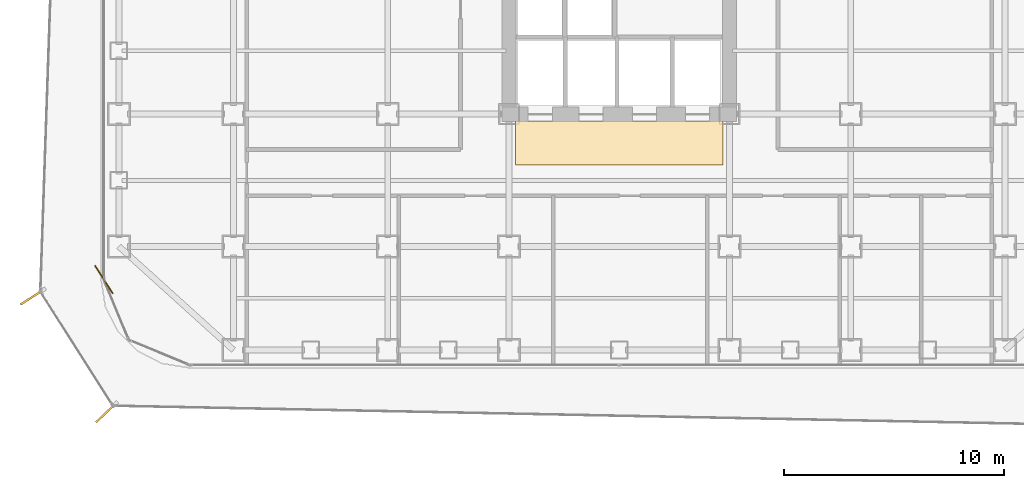
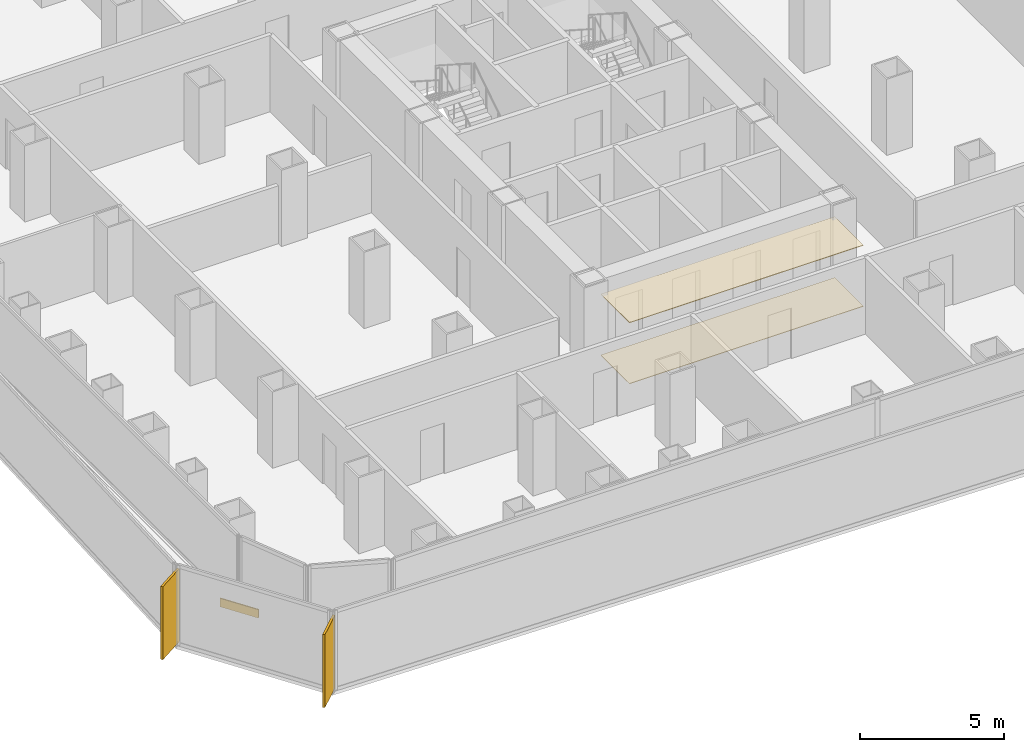
# One storey, part 20 of 22: 3 coverings, 2 shading devices.
"""IFC4 building model written with IfcOpenShell, lengths in metres."""

from ifc_helpers import new_model, si_unit, direction, frame, origin, origin_2d, place, context, subcontext, project, spatial, polyline, rectangle, outline, extrude, source, transform, mapped, material, layer, layer_set, type_object, element, save


model = new_model("IFC4")

# Units and contexts
model_context = context("Model", 3, precision=1e-05, world=origin(), true_north=direction((0.0, 1.0)))
body_context = subcontext(model_context, "Body", "Model", "MODEL_VIEW")
ifc_project = project(units=[si_unit("LENGTHUNIT", "METRE"), si_unit("AREAUNIT", "SQUARE_METRE"), si_unit("VOLUMEUNIT", "CUBIC_METRE"), si_unit("PLANEANGLEUNIT", "RADIAN"), si_unit("MASSUNIT", "GRAM", prefix="KILO")], contexts=[model_context])

# Site, building, storey
site_placement = place(None, origin())
site = spatial("IfcSite", under=ifc_project, at=site_placement, CompositionType="ELEMENT")
building_placement = place(site_placement, origin())
building = spatial("IfcBuilding", under=site, at=building_placement, Name="Kolveth Station Tower", CompositionType="ELEMENT")
storey_placement = place(building_placement, frame((0.0, 0.0, 84.60009765625)))
storey = spatial("IfcBuildingStorey", under=building, at=storey_placement, Name="L22", CompositionType="ELEMENT", Elevation=84.60009765625)

# Coverings
ifc_material_1 = material(Name="Acoustic mineral-fibre ceiling tile")
ifc_layer_1 = layer(ifc_material_1, 0.02490234375)
ifc_layer_set_1 = layer_set([ifc_layer_1], Name="Acoustic mineral-fibre ceiling tile")
covering_type_1 = type_object("IfcCoveringType", Name="Ceil_CL1", PredefinedType="CEILING", material=ifc_layer_set_1)
covering_1_placement = place(storey_placement, frame((0.0, 0.0, 2.58984375)))
element("IfcCovering", 1, at=covering_1_placement, inside=storey, type_object=covering_type_1, Name="L22 Lift Lobby Suspended Ceiling", PredefinedType="CEILING", context=body_context, shape_type="SweptSolid", body=[
    extrude(outline(polyline([(18.800048828125, 9.199951171875), (28.199951171875, 9.199951171875), (28.199951171875, 11.199951171875), (18.800048828125, 11.199951171875), (18.800048828125, 9.199951171875)])), origin(), (0.0, 0.0, 1.0), 0.025146484375),
])
ifc_material_2 = material(Name="Honed terrazzo flooring")
ifc_layer_2 = layer(ifc_material_2, 0.02001953125)
ifc_layer_set_2 = layer_set([ifc_layer_2], Name="Honed terrazzo flooring")
covering_type_2 = type_object("IfcCoveringType", Name="Floor_FL1", PredefinedType="FLOORING", material=ifc_layer_set_2)
covering_2_placement = place(storey_placement, origin())
element("IfcCovering", 2, at=covering_2_placement, inside=storey, type_object=covering_type_2, Name="L22 Lift Lobby Floor Finish", PredefinedType="FLOORING", context=body_context, shape_type="SweptSolid", body=[
    extrude(outline(polyline([(18.800048828125, 9.199951171875), (28.199951171875, 9.199951171875), (28.199951171875, 11.199951171875), (18.800048828125, 11.199951171875), (18.800048828125, 9.199951171875)])), origin(), (0.0, 0.0, 1.0), 0.02001953125),
])

# Shading devices
ifc_material_3 = material(Name="Black anodized aluminium 6063-T6", Category="aluminium")
shading_device_type = type_object("IfcShadingDeviceType", Name="FIN_VF1", PredefinedType="USERDEFINED", material=ifc_material_3)
shared_shape_1 = source(origin(), body_context, "Body", "SweptSolid", [
    extrude(rectangle(XDim=1.25, YDim=0.090087890625, at=origin_2d()), origin(), (0.0, 0.0, 1.0), 3.10009765625),
])
for number, where, z_axis, x_axis, name in (
    (3, (-3.133056640625, 3.201904296875, -0.000244140625), (0.0, 0.0, 1.0), (-0.842264279204, -0.539064823539, 0.0), "L22 Dark-Aluminium Solar Fin 7"),
    (4, (0.218994140625, -2.044921875, -0.000244140625), (0.0, 0.0, 1.0), (-0.722243259262, -0.691639121545, 0.0), "L22 Dark-Aluminium Solar Fin 8"),
):
    element("IfcShadingDevice", number, at=place(storey_placement, frame(where, z_axis=z_axis, x_axis=x_axis)), inside=storey, type_object=shading_device_type, Name=name, ObjectType="FIN", PredefinedType="USERDEFINED", context=body_context, shape_type="MappedRepresentation", body=[
        mapped(shared_shape_1, transform((0.0, 0.0, 0.0), x_axis=(1.0, 0.0, 0.0), y_axis=(0.0, 1.0, 0.0), z_axis=(0.0, 0.0, 1.0), scale=1.0)),
    ])

# Covering
ifc_material_4 = material(Name="Charcoal anodized aluminium spandrel cladding", Category="aluminium")
ifc_layer_3 = layer(ifc_material_4, 0.044921875)
ifc_layer_set_3 = layer_set([ifc_layer_3], Name="Charcoal anodized aluminium spandrel cladding")
covering_type_3 = type_object("IfcCoveringType", Name="Clad_CD1", PredefinedType="CLADDING", material=ifc_layer_set_3)
shared_shape_2 = source(origin(), body_context, "Body", "SweptSolid", [
    extrude(rectangle(XDim=1.5, YDim=0.044921875, at=origin_2d()), origin(), (0.0, 0.0, 1.0), 0.360107421875),
])
covering_3_placement = place(storey_placement, frame((0.1201171875, 4.0, 0.0), z_axis=(0.0, 0.0, 1.0), x_axis=(0.539064823539, -0.842264279204, 0.0)))
element("IfcCovering", 5, at=covering_3_placement, inside=storey, type_object=covering_type_3, Name="L22 Spandrel Edge Cladding 7", PredefinedType="CLADDING", context=body_context, shape_type="MappedRepresentation", body=[
    mapped(shared_shape_2, transform((0.0, 0.0, 0.0), x_axis=(1.0, 0.0, 0.0), y_axis=(0.0, 1.0, 0.0), z_axis=(0.0, 0.0, 1.0), scale=1.0)),
])

save(model, "model.ifc")
